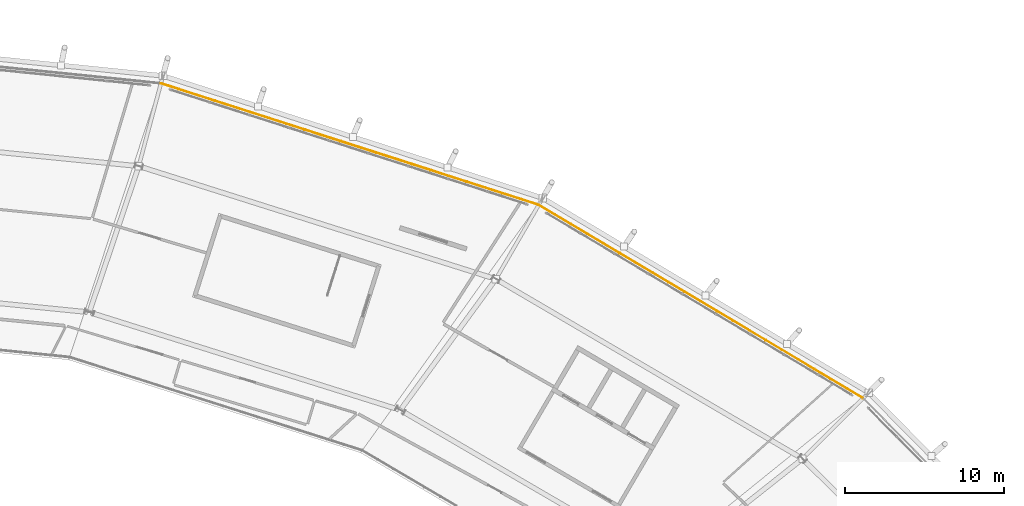
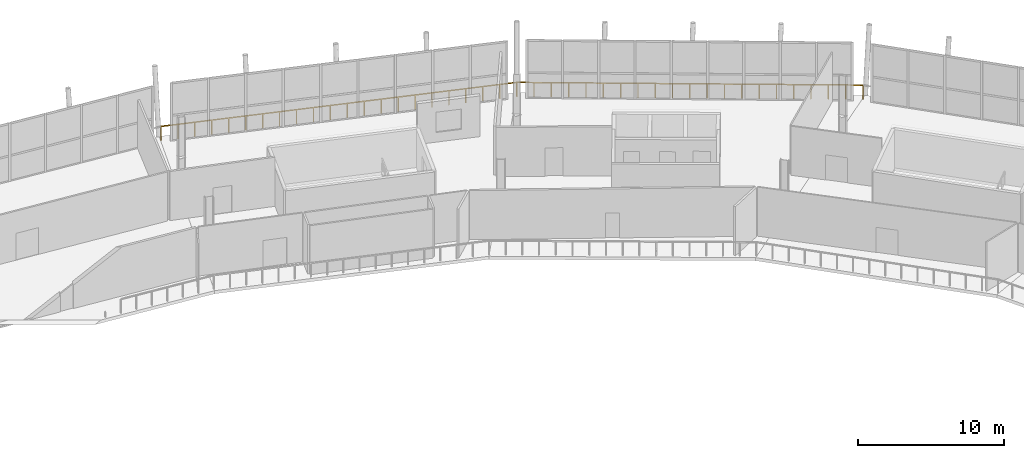
# One storey, part 99 of 99: 2 railings.
"""IFC4 building model written with IfcOpenShell, lengths in metres."""

from ifc_helpers import new_model, si_unit, direction, frame, origin, origin_2d, place, context, subcontext, project, spatial, rectangle, extrude, material, type_object, element, save


model = new_model("IFC4")

# Units and contexts
model_context = context("Model", 3, precision=1e-05, world=origin(), true_north=direction((0.0, 1.0)))
body_context = subcontext(model_context, "Body", "Model", "MODEL_VIEW")
ifc_project = project(units=[si_unit("LENGTHUNIT", "METRE"), si_unit("AREAUNIT", "SQUARE_METRE"), si_unit("VOLUMEUNIT", "CUBIC_METRE"), si_unit("PLANEANGLEUNIT", "RADIAN"), si_unit("MASSUNIT", "GRAM", prefix="KILO")], contexts=[model_context])

# Site, building, storey
site_placement = place(None, origin())
site = spatial("IfcSite", under=ifc_project, at=site_placement, CompositionType="ELEMENT")
building_placement = place(site_placement, origin())
building = spatial("IfcBuilding", under=site, at=building_placement, Name="Zlatoyarsky Gate Stadium", CompositionType="ELEMENT")
storey_placement = place(building_placement, frame((0.0, 0.0, 26.199951171875)))
storey = spatial("IfcBuildingStorey", under=building, at=storey_placement, Name="L05", CompositionType="ELEMENT", Elevation=26.199951171875)

# Railings
ifc_material = material(Name="Powder-coated steel tubular guardrail", Category="steel")
railing_type = type_object("IfcRailingType", Name="CONCOURSE SLAB EDGE GUARDRAIL 1200", PredefinedType="GUARDRAIL", material=ifc_material)
railing_1_placement = place(storey_placement, frame((180.563720703125, 134.007568359375, 0.0)))
element("IfcRailing", 1, at=railing_1_placement, inside=storey, type_object=railing_type, Name="L05 outer slab edge guardrail 03", PredefinedType="GUARDRAIL", context=body_context, shape_type="SweptSolid", body=[
    extrude(rectangle(XDim=0.048095703125, YDim=0.048095703125, at=origin_2d()), frame((0.0, 0.0, 1.17578125), z_axis=(-0.859102795872, 0.511803073578, 0.0), x_axis=(-0.511803073578, -0.859102795872, 0.0)), (0.0, 0.0, 1.0), 23.716064453125),
    extrude(rectangle(XDim=0.0419921875, YDim=0.0419921875, at=origin_2d()), origin(), (0.0, 0.0, 1.0), 1.15185546875),
    extrude(rectangle(XDim=0.0419921875, YDim=0.0419921875, at=origin_2d()), frame((-1.018798828125, 0.60693359375, 0.0)), (0.0, 0.0, 1.0), 1.15185546875),
    extrude(rectangle(XDim=0.0419921875, YDim=0.0419921875, at=origin_2d()), frame((-2.037353515625, 1.2138671875, 0.0)), (0.0, 0.0, 1.0), 1.15185546875),
    extrude(rectangle(XDim=0.0419921875, YDim=0.0419921875, at=origin_2d()), frame((-3.05615234375, 1.82080078125, 0.0)), (0.0, 0.0, 1.0), 1.15185546875),
    extrude(rectangle(XDim=0.0419921875, YDim=0.0419921875, at=origin_2d()), frame((-4.074951171875, 2.427490234375, 0.0)), (0.0, 0.0, 1.0), 1.15185546875),
    extrude(rectangle(XDim=0.0419921875, YDim=0.0419921875, at=origin_2d()), frame((-5.09375, 3.034423828125, 0.0)), (0.0, 0.0, 1.0), 1.15185546875),
    extrude(rectangle(XDim=0.0419921875, YDim=0.0419921875, at=origin_2d()), frame((-6.1123046875, 3.641357421875, 0.0)), (0.0, 0.0, 1.0), 1.15185546875),
    extrude(rectangle(XDim=0.0419921875, YDim=0.0419921875, at=origin_2d()), frame((-7.131103515625, 4.248291015625, 0.0)), (0.0, 0.0, 1.0), 1.15185546875),
    extrude(rectangle(XDim=0.0419921875, YDim=0.0419921875, at=origin_2d()), frame((-8.14990234375, 4.855224609375, 0.0)), (0.0, 0.0, 1.0), 1.15185546875),
    extrude(rectangle(XDim=0.0419921875, YDim=0.0419921875, at=origin_2d()), frame((-9.16845703125, 5.462158203125, 0.0)), (0.0, 0.0, 1.0), 1.15185546875),
    extrude(rectangle(XDim=0.0419921875, YDim=0.0419921875, at=origin_2d()), frame((-10.187255859375, 6.06884765625, 0.0)), (0.0, 0.0, 1.0), 1.15185546875),
    extrude(rectangle(XDim=0.0419921875, YDim=0.0419921875, at=origin_2d()), frame((-11.2060546875, 6.67578125, 0.0)), (0.0, 0.0, 1.0), 1.15185546875),
    extrude(rectangle(XDim=0.0419921875, YDim=0.0419921875, at=origin_2d()), frame((-12.224609375, 7.28271484375, 0.0)), (0.0, 0.0, 1.0), 1.15185546875),
    extrude(rectangle(XDim=0.0419921875, YDim=0.0419921875, at=origin_2d()), frame((-13.243408203125, 7.8896484375, 0.0)), (0.0, 0.0, 1.0), 1.15185546875),
    extrude(rectangle(XDim=0.0419921875, YDim=0.0419921875, at=origin_2d()), frame((-14.26220703125, 8.49658203125, 0.0)), (0.0, 0.0, 1.0), 1.15185546875),
    extrude(rectangle(XDim=0.0419921875, YDim=0.0419921875, at=origin_2d()), frame((-15.28076171875, 9.103515625, 0.0)), (0.0, 0.0, 1.0), 1.15185546875),
    extrude(rectangle(XDim=0.0419921875, YDim=0.0419921875, at=origin_2d()), frame((-16.299560546875, 9.71044921875, 0.0)), (0.0, 0.0, 1.0), 1.15185546875),
    extrude(rectangle(XDim=0.0419921875, YDim=0.0419921875, at=origin_2d()), frame((-17.318359375, 10.317138671875, 0.0)), (0.0, 0.0, 1.0), 1.15185546875),
    extrude(rectangle(XDim=0.0419921875, YDim=0.0419921875, at=origin_2d()), frame((-18.337158203125, 10.924072265625, 0.0)), (0.0, 0.0, 1.0), 1.15185546875),
    extrude(rectangle(XDim=0.0419921875, YDim=0.0419921875, at=origin_2d()), frame((-19.355712890625, 11.531005859375, 0.0)), (0.0, 0.0, 1.0), 1.15185546875),
    extrude(rectangle(XDim=0.0419921875, YDim=0.0419921875, at=origin_2d()), frame((-20.37451171875, 12.137939453125, 0.0)), (0.0, 0.0, 1.0), 1.15185546875),
])
railing_2_placement = place(storey_placement, frame((160.189208984375, 146.1455078125, 0.0)))
element("IfcRailing", 2, at=railing_2_placement, inside=storey, type_object=railing_type, Name="L05 outer slab edge guardrail 04", PredefinedType="GUARDRAIL", context=body_context, shape_type="SweptSolid", body=[
    extrude(rectangle(XDim=0.048095703125, YDim=0.048095703125, at=origin_2d()), frame((0.0, 0.0, 1.17578125), z_axis=(-0.951986765768, 0.306139180443, 0.0), x_axis=(-0.306139180443, -0.951986765768, 0.0)), (0.0, 0.0, 1.0), 24.923828125),
    extrude(rectangle(XDim=0.0419921875, YDim=0.0419921875, at=origin_2d()), origin(), (0.0, 0.0, 1.0), 1.15185546875),
    extrude(rectangle(XDim=0.0419921875, YDim=0.0419921875, at=origin_2d()), frame((-1.1298828125, 0.36328125, 0.0)), (0.0, 0.0, 1.0), 1.15185546875),
    extrude(rectangle(XDim=0.0419921875, YDim=0.0419921875, at=origin_2d()), frame((-2.259765625, 0.7265625, 0.0)), (0.0, 0.0, 1.0), 1.15185546875),
    extrude(rectangle(XDim=0.0419921875, YDim=0.0419921875, at=origin_2d()), frame((-3.3896484375, 1.090087890625, 0.0)), (0.0, 0.0, 1.0), 1.15185546875),
    extrude(rectangle(XDim=0.0419921875, YDim=0.0419921875, at=origin_2d()), frame((-4.51953125, 1.453369140625, 0.0)), (0.0, 0.0, 1.0), 1.15185546875),
    extrude(rectangle(XDim=0.0419921875, YDim=0.0419921875, at=origin_2d()), frame((-5.6494140625, 1.816650390625, 0.0)), (0.0, 0.0, 1.0), 1.15185546875),
    extrude(rectangle(XDim=0.0419921875, YDim=0.0419921875, at=origin_2d()), frame((-6.779052734375, 2.179931640625, 0.0)), (0.0, 0.0, 1.0), 1.15185546875),
    extrude(rectangle(XDim=0.0419921875, YDim=0.0419921875, at=origin_2d()), frame((-7.908935546875, 2.54345703125, 0.0)), (0.0, 0.0, 1.0), 1.15185546875),
    extrude(rectangle(XDim=0.0419921875, YDim=0.0419921875, at=origin_2d()), frame((-9.038818359375, 2.90673828125, 0.0)), (0.0, 0.0, 1.0), 1.15185546875),
    extrude(rectangle(XDim=0.0419921875, YDim=0.0419921875, at=origin_2d()), frame((-10.168701171875, 3.27001953125, 0.0)), (0.0, 0.0, 1.0), 1.15185546875),
    extrude(rectangle(XDim=0.0419921875, YDim=0.0419921875, at=origin_2d()), frame((-11.298583984375, 3.63330078125, 0.0)), (0.0, 0.0, 1.0), 1.15185546875),
    extrude(rectangle(XDim=0.0419921875, YDim=0.0419921875, at=origin_2d()), frame((-12.428466796875, 3.996826171875, 0.0)), (0.0, 0.0, 1.0), 1.15185546875),
    extrude(rectangle(XDim=0.0419921875, YDim=0.0419921875, at=origin_2d()), frame((-13.558349609375, 4.360107421875, 0.0)), (0.0, 0.0, 1.0), 1.15185546875),
    extrude(rectangle(XDim=0.0419921875, YDim=0.0419921875, at=origin_2d()), frame((-14.688232421875, 4.723388671875, 0.0)), (0.0, 0.0, 1.0), 1.15185546875),
    extrude(rectangle(XDim=0.0419921875, YDim=0.0419921875, at=origin_2d()), frame((-15.818115234375, 5.086669921875, 0.0)), (0.0, 0.0, 1.0), 1.15185546875),
    extrude(rectangle(XDim=0.0419921875, YDim=0.0419921875, at=origin_2d()), frame((-16.947998046875, 5.4501953125, 0.0)), (0.0, 0.0, 1.0), 1.15185546875),
    extrude(rectangle(XDim=0.0419921875, YDim=0.0419921875, at=origin_2d()), frame((-18.07763671875, 5.8134765625, 0.0)), (0.0, 0.0, 1.0), 1.15185546875),
    extrude(rectangle(XDim=0.0419921875, YDim=0.0419921875, at=origin_2d()), frame((-19.20751953125, 6.1767578125, 0.0)), (0.0, 0.0, 1.0), 1.15185546875),
    extrude(rectangle(XDim=0.0419921875, YDim=0.0419921875, at=origin_2d()), frame((-20.33740234375, 6.5400390625, 0.0)), (0.0, 0.0, 1.0), 1.15185546875),
    extrude(rectangle(XDim=0.0419921875, YDim=0.0419921875, at=origin_2d()), frame((-21.46728515625, 6.903564453125, 0.0)), (0.0, 0.0, 1.0), 1.15185546875),
    extrude(rectangle(XDim=0.0419921875, YDim=0.0419921875, at=origin_2d()), frame((-22.59716796875, 7.266845703125, 0.0)), (0.0, 0.0, 1.0), 1.15185546875),
    extrude(rectangle(XDim=0.0419921875, YDim=0.0419921875, at=origin_2d()), frame((-23.72705078125, 7.630126953125, 0.0)), (0.0, 0.0, 1.0), 1.15185546875),
])

save(model, "model.ifc")
